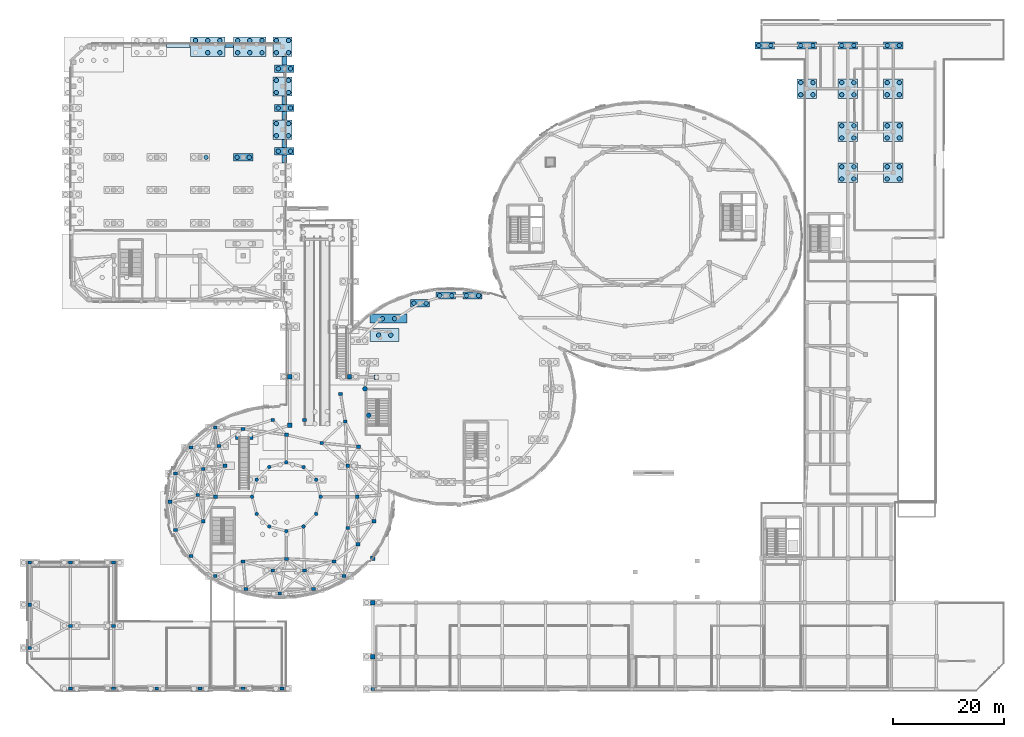
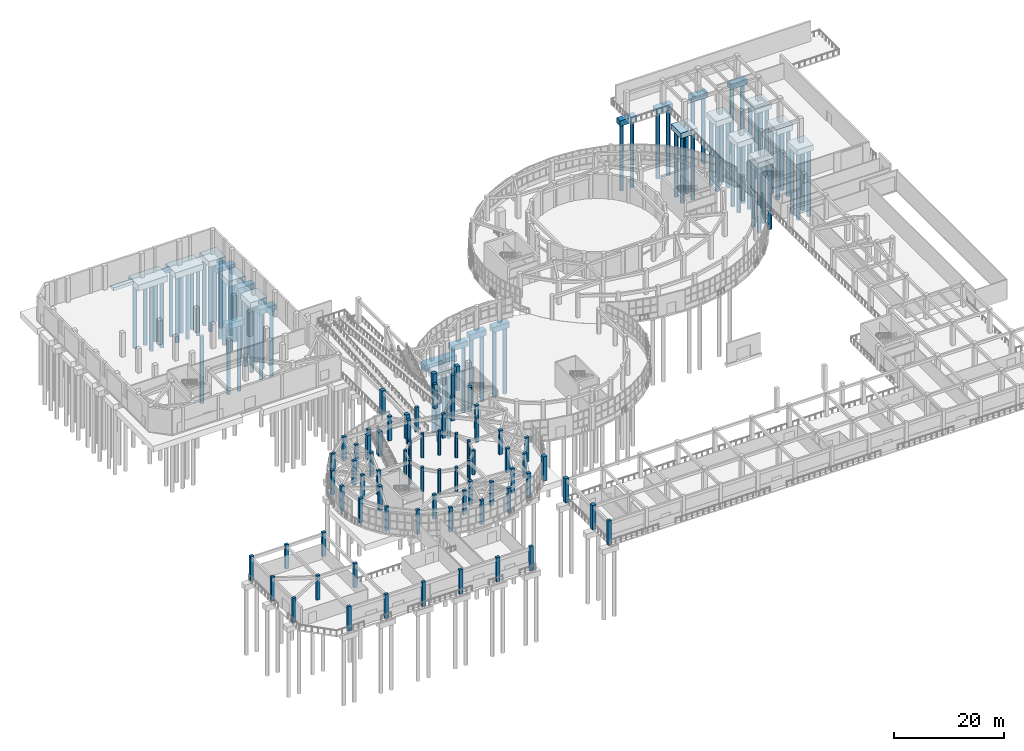
# One storey, part 3 of 96: 78 piles, 72 columns, 32 footings.
"""IFC4 building model written with IfcOpenShell, lengths in metres."""

from ifc_helpers import new_model, si_unit, direction, frame, origin, origin_2d, place, context, subcontext, project, spatial, rectangle, circle, extrude, material, layer, layer_set, material_profile, profile_set, type_object, element, save


model = new_model("IFC4")

# Units and contexts
model_context = context("Model", 3, precision=1e-05, world=origin(), true_north=direction((0.0, 1.0)))
body_context = subcontext(model_context, "Body", "Model", "MODEL_VIEW")
ifc_project = project(units=[si_unit("LENGTHUNIT", "METRE"), si_unit("AREAUNIT", "SQUARE_METRE"), si_unit("VOLUMEUNIT", "CUBIC_METRE"), si_unit("PLANEANGLEUNIT", "RADIAN"), si_unit("MASSUNIT", "GRAM", prefix="KILO")], contexts=[model_context])

# Site, building, storey
site_placement = place(None, origin())
site = spatial("IfcSite", under=ifc_project, at=site_placement, CompositionType="ELEMENT")
building_placement = place(site_placement, origin())
building = spatial("IfcBuilding", under=site, at=building_placement, Name="Pelvatis Terrace Science Centre", CompositionType="ELEMENT")
storey_placement = place(building_placement, origin())
storey = spatial("IfcBuildingStorey", under=building, at=storey_placement, Name="L00", CompositionType="ELEMENT", Elevation=0.0)

# Footings
ifc_material_1 = material(Name="Concrete C35/45", Category="concrete")
ifc_layer_1 = layer(ifc_material_1, 1.35009765625)
ifc_layer_set_1 = layer_set([ifc_layer_1], Name="Concrete C35/45")
footing_type_1 = type_object("IfcFootingType", Name="FTG-CMB-5200x2300x1350", PredefinedType="PILE_CAP", material=ifc_layer_set_1)
footing_1_placement = place(storey_placement, frame((64.54931640625, 64.29541015625, -1.630126953125), z_axis=(0.0, 0.0, 1.0), x_axis=(1.0, 0.0, 0.0)))
element("IfcFooting", 1, at=footing_1_placement, inside=storey, type_object=footing_type_1, Name="Foundation cap L00-300", PredefinedType="PILE_CAP", context=body_context, shape_type="SweptSolid", body=[
    extrude(rectangle(XDim=5.199951171875, YDim=2.300048828125, at=origin_2d()), origin(), (0.0, 0.0, 1.0), 1.35009765625),
])
ifc_material_2 = material(Name="Concrete C35/45", Category="concrete")
ifc_layer_2 = layer(ifc_material_2, 1.35009765625)
ifc_layer_set_2 = layer_set([ifc_layer_2], Name="Concrete C35/45")
footing_type_2 = type_object("IfcFootingType", Name="FTG-CMB-5900x3500x1350", PredefinedType="PILE_CAP", material=ifc_layer_set_2)
footing_2_placement = place(storey_placement, frame((40.199951171875, 116.39990234375, -1.630126953125), z_axis=(0.0, 0.0, 1.0), x_axis=(1.0, 0.0, 0.0)))
element("IfcFooting", 2, at=footing_2_placement, inside=storey, type_object=footing_type_2, Name="Foundation cap L00-249", PredefinedType="PILE_CAP", context=body_context, shape_type="SweptSolid", body=[
    extrude(rectangle(XDim=5.89990234375, YDim=3.5, at=origin_2d()), origin(), (0.0, 0.0, 1.0), 1.35009765625),
])
ifc_material_3 = material(Name="Concrete C35/45", Category="concrete")
ifc_layer_3 = layer(ifc_material_3, 1.35009765625)
ifc_layer_set_3 = layer_set([ifc_layer_3], Name="Concrete C35/45")
footing_type_3 = type_object("IfcFootingType", Name="FTG-CMB-6300x3500x1350", PredefinedType="PILE_CAP", material=ifc_layer_set_3)
footing_3_placement = place(storey_placement, frame((32.60009765625, 116.39990234375, -1.630126953125), z_axis=(0.0, 0.0, 1.0), x_axis=(1.0, 0.0, 0.0)))
element("IfcFooting", 3, at=footing_3_placement, inside=storey, type_object=footing_type_3, Name="Foundation cap L00-250", PredefinedType="PILE_CAP", context=body_context, shape_type="SweptSolid", body=[
    extrude(rectangle(XDim=6.300048828125, YDim=3.5, at=origin_2d()), origin(), (0.0, 0.0, 1.0), 1.35009765625),
])
ifc_material_4 = material(Name="Concrete C35/45", Category="concrete")
ifc_layer_4 = layer(ifc_material_4, 1.35009765625)
ifc_layer_set_4 = layer_set([ifc_layer_4], Name="Concrete C35/45")
footing_type_4 = type_object("IfcFootingType", Name="FTG-CMB-6750x1650x1350", PredefinedType="PILE_CAP", material=ifc_layer_set_4)
footing_4_placement = place(storey_placement, frame((65.254150390625, 67.26220703125, -1.630126953125), z_axis=(0.0, 0.0, 1.0), x_axis=(1.0, 0.0, 0.0)))
element("IfcFooting", 4, at=footing_4_placement, inside=storey, type_object=footing_type_4, Name="Foundation cap L00-285", PredefinedType="PILE_CAP", context=body_context, shape_type="SweptSolid", body=[
    extrude(rectangle(XDim=6.75, YDim=1.64990234375, at=origin_2d()), origin(), (0.0, 0.0, 1.0), 1.35009765625),
])
ifc_material_5 = material(Name="Concrete C35/45", Category="concrete")
ifc_layer_5 = layer(ifc_material_5, 1.199951171875)
ifc_layer_set_5 = layer_set([ifc_layer_5], Name="Concrete C35/45")
footing_type_5 = type_object("IfcFootingType", Name="FTG-PC2-3500x1300x1200", PredefinedType="PILE_CAP", material=ifc_layer_set_5)
for number, where, z_axis, x_axis, name in (
    (5, (39.0, 96.39990234375, -1.47998046875), (0.0, 0.0, 1.0), (1.0, 0.0, 0.0), "Foundation cap L00-247"),
    (6, (46.449951171875, 97.5, -1.47998046875), (0.0, 0.0, 1.0), (1.0, 0.0, 0.0), "Foundation cap L00-265"),
    (7, (46.449951171875, 105.300048828125, -1.47998046875), (0.0, 0.0, 1.0), (1.0, 0.0, 0.0), "Foundation cap L00-267"),
    (8, (46.449951171875, 112.39990234375, -1.47998046875), (0.0, 0.0, 1.0), (1.0, 0.0, 0.0), "Foundation cap L00-269"),
    (9, (70.93798828125, 70.063720703125, -1.47998046875), (0.0, 0.0, 1.0), (1.0, 0.0, 0.0), "Foundation cap L00-301"),
    (10, (80.41943359375, 71.427001953125, -1.47998046875), (0.0, 0.0, 1.0), (1.0, 0.0, 0.0), "Foundation cap L00-302"),
    (11, (75.58056640625, 71.427001953125, -1.47998046875), (0.0, 0.0, 1.0), (1.0, 0.0, 0.0), "Foundation cap L00-303"),
    (12, (133.199951171875, 116.60009765625, -1.47998046875), (0.0, 0.0, 1.0), (1.0, 0.0, 0.0), "Foundation cap L00-311"),
    (13, (140.800048828125, 116.60009765625, -1.47998046875), (0.0, 0.0, 1.0), (1.0, 0.0, 0.0), "Foundation cap L00-312"),
    (14, (148.199951171875, 116.60009765625, -1.47998046875), (0.0, 0.0, 1.0), (1.0, 0.0, 0.0), "Foundation cap L00-313"),
    (15, (156.39990234375, 116.60009765625, -1.47998046875), (0.0, 0.0, 1.0), (1.0, 0.0, 0.0), "Foundation cap L00-314"),
):
    element("IfcFooting", number, at=place(storey_placement, frame(where, z_axis=z_axis, x_axis=x_axis)), inside=storey, type_object=footing_type_5, Name=name, PredefinedType="PILE_CAP", context=body_context, shape_type="SweptSolid", body=[
        extrude(rectangle(XDim=3.5, YDim=1.300048828125, at=origin_2d()), origin(), (0.0, 0.0, 1.0), 1.199951171875),
    ])
ifc_material_6 = material(Name="Concrete C35/45", Category="concrete")
ifc_layer_6 = layer(ifc_material_6, 1.199951171875)
ifc_layer_set_6 = layer_set([ifc_layer_6], Name="Concrete C35/45")
footing_type_6 = type_object("IfcFootingType", Name="FTG-PC4-3500x3500x1200", PredefinedType="PILE_CAP", material=ifc_layer_set_6)
for number, where, z_axis, x_axis, name in (
    (16, (46.10009765625, 101.39990234375, -1.47998046875), (0.0, 0.0, 1.0), (1.0, 0.0, 0.0), "Foundation cap L00-266"),
    (17, (46.10009765625, 109.199951171875, -1.47998046875), (0.0, 0.0, 1.0), (1.0, 0.0, 0.0), "Foundation cap L00-268"),
    (18, (46.10009765625, 116.39990234375, -1.47998046875), (0.0, 0.0, 1.0), (1.0, 0.0, 0.0), "Foundation cap L00-270"),
    (19, (148.199951171875, 93.60009765625, -1.47998046875), (0.0, 0.0, 1.0), (1.0, 0.0, 0.0), "Foundation cap L00-304"),
    (20, (156.39990234375, 93.60009765625, -1.47998046875), (0.0, 0.0, 1.0), (1.0, 0.0, 0.0), "Foundation cap L00-305"),
    (21, (148.199951171875, 101.0, -1.47998046875), (0.0, 0.0, 1.0), (1.0, 0.0, 0.0), "Foundation cap L00-306"),
    (22, (156.39990234375, 101.0, -1.47998046875), (0.0, 0.0, 1.0), (1.0, 0.0, 0.0), "Foundation cap L00-307"),
    (23, (140.800048828125, 108.800048828125, -1.47998046875), (0.0, 0.0, 1.0), (1.0, 0.0, 0.0), "Foundation cap L00-308"),
    (24, (148.199951171875, 108.800048828125, -1.47998046875), (0.0, 0.0, 1.0), (1.0, 0.0, 0.0), "Foundation cap L00-309"),
    (25, (156.39990234375, 108.800048828125, -1.47998046875), (0.0, 0.0, 1.0), (1.0, 0.0, 0.0), "Foundation cap L00-310"),
):
    element("IfcFooting", number, at=place(storey_placement, frame(where, z_axis=z_axis, x_axis=x_axis)), inside=storey, type_object=footing_type_6, Name=name, PredefinedType="PILE_CAP", context=body_context, shape_type="SweptSolid", body=[
        extrude(rectangle(XDim=3.5, YDim=3.5, at=origin_2d()), origin(), (0.0, 0.0, 1.0), 1.199951171875),
    ])
ifc_material_7 = material(Name="Concrete C35/45", Category="concrete")
ifc_material_profile_1 = material_profile(ifc_material_7, rectangle(XDim=0.85009765625, YDim=0.64990234375, at=origin_2d()), Name="RC-STR 850x650")
ifc_profile_set_1 = profile_set([ifc_material_profile_1], Name="Concrete C35/45")
footing_type_7 = type_object("IfcFootingType", Name="FTG-STR-850x650", PredefinedType="STRIP_FOOTING", material=ifc_profile_set_1)
for number, where, z_axis, x_axis, name in (
    (26, (46.449951171875, 95.360107421875, -0.679931640625), (0.0, 1.0, 0.0), (-1.0, 0.0, 0.0), "Foundation strip footing 15"),
    (27, (46.449951171875, 98.159912109375, -0.679931640625), (0.0, 1.0, 0.0), (-1.0, 0.0, 0.0), "Foundation strip footing 16"),
    (28, (46.449951171875, 103.159912109375, -0.679931640625), (0.0, 1.0, 0.0), (-1.0, 0.0, 0.0), "Foundation strip footing 17"),
    (29, (46.449951171875, 105.9599609375, -0.679931640625), (0.0, 1.0, 0.0), (-1.0, 0.0, 0.0), "Foundation strip footing 18"),
):
    element("IfcFooting", number, at=place(storey_placement, frame(where, z_axis=z_axis, x_axis=x_axis)), inside=storey, type_object=footing_type_7, Name=name, PredefinedType="STRIP_FOOTING", context=body_context, shape_type="SweptSolid", body=[
        extrude(rectangle(XDim=0.85009765625, YDim=0.64990234375, at=origin_2d()), origin(), (0.0, 0.0, 1.0), 1.47998046875),
    ])
footing_5_placement = place(storey_placement, frame((46.449951171875, 113.06005859375, -0.679931640625), z_axis=(0.0, 1.0, 0.0), x_axis=(-1.0, 0.0, 0.0)))
element("IfcFooting", 30, at=footing_5_placement, inside=storey, type_object=footing_type_7, Name="Foundation strip footing 19", PredefinedType="STRIP_FOOTING", context=body_context, shape_type="SweptSolid", body=[
    extrude(rectangle(XDim=0.85009765625, YDim=0.64990234375, at=origin_2d()), origin(), (0.0, 0.0, 1.0), 1.579833984375),
])
ifc_material_8 = material(Name="Concrete C35/45", Category="concrete")
ifc_material_profile_2 = material_profile(ifc_material_8, rectangle(XDim=0.949951171875, YDim=0.699951171875, at=origin_2d()), Name="RC-STR 950x700")
ifc_profile_set_2 = profile_set([ifc_material_profile_2], Name="Concrete C35/45")
footing_type_8 = type_object("IfcFootingType", Name="FTG-STR-950x700", PredefinedType="STRIP_FOOTING", material=ifc_profile_set_2)
footing_6_placement = place(storey_placement, frame((25.159912109375, 116.75, -0.679931640625), z_axis=(1.0, 0.0, 0.0), x_axis=(0.0, 1.0, 0.0)))
element("IfcFooting", 31, at=footing_6_placement, inside=storey, type_object=footing_type_8, Name="Foundation strip footing 03", PredefinedType="STRIP_FOOTING", context=body_context, shape_type="SweptSolid", body=[
    extrude(rectangle(XDim=0.949951171875, YDim=0.699951171875, at=origin_2d()), origin(), (0.0, 0.0, 1.0), 4.280029296875),
])
footing_7_placement = place(storey_placement, frame((35.760009765625, 116.75, -0.679931640625), z_axis=(1.0, 0.0, 0.0), x_axis=(0.0, 1.0, 0.0)))
element("IfcFooting", 32, at=footing_7_placement, inside=storey, type_object=footing_type_8, Name="Foundation strip footing 04", PredefinedType="STRIP_FOOTING", context=body_context, shape_type="SweptSolid", body=[
    extrude(rectangle(XDim=0.949951171875, YDim=0.699951171875, at=origin_2d()), origin(), (0.0, 0.0, 1.0), 1.47998046875),
])

# Piles
ifc_material_9 = material(Name="Concrete C30/37", Category="concrete")
ifc_material_profile_3 = material_profile(ifc_material_9, circle(Radius=0.39990234375, at=origin_2d()), Name="PILE D800")
ifc_profile_set_3 = profile_set([ifc_material_profile_3], Name="Concrete C30/37")
pile_type = type_object("IfcPileType", Name="PIL-BORED-D800", PredefinedType="BORED", material=ifc_profile_set_3)
for number, where, z_axis, x_axis, name in (
    (33, (37.89990234375, 96.39990234375, -1.3798828125), (0.0, 0.0, -1.0), (1.0, 0.0, 0.0), "Bored pile L00-247-1"),
    (34, (40.10009765625, 96.39990234375, -1.3798828125), (0.0, 0.0, -1.0), (1.0, 0.0, 0.0), "Bored pile L00-247-2"),
    (35, (32.300048828125, 96.39990234375, -1.3798828125), (0.0, 0.0, -1.0), (1.0, 0.0, 0.0), "Bored pile L00-248-2"),
):
    element("IfcPile", number, at=place(storey_placement, frame(where, z_axis=z_axis, x_axis=x_axis)), inside=storey, type_object=pile_type, Name=name, PredefinedType="BORED", context=body_context, shape_type="SweptSolid", body=[
        extrude(circle(Radius=0.39990234375, at=origin_2d()), origin(), (0.0, 0.0, 1.0), 14.820068359375),
    ])
for number, where, z_axis, x_axis, name in (
    (36, (38.0, 115.300048828125, -1.530029296875), (0.0, 0.0, -1.0), (1.0, 0.0, 0.0), "Bored pile L00-249-1"),
    (37, (40.199951171875, 115.300048828125, -1.530029296875), (0.0, 0.0, -1.0), (1.0, 0.0, 0.0), "Bored pile L00-249-2"),
    (38, (42.39990234375, 115.300048828125, -1.530029296875), (0.0, 0.0, -1.0), (1.0, 0.0, 0.0), "Bored pile L00-249-3"),
    (39, (38.0, 117.5, -1.530029296875), (0.0, 0.0, -1.0), (1.0, 0.0, 0.0), "Bored pile L00-249-4"),
    (40, (40.199951171875, 117.5, -1.530029296875), (0.0, 0.0, -1.0), (1.0, 0.0, 0.0), "Bored pile L00-249-5"),
    (41, (42.39990234375, 117.5, -1.530029296875), (0.0, 0.0, -1.0), (1.0, 0.0, 0.0), "Bored pile L00-249-6"),
    (42, (32.60009765625, 115.300048828125, -1.530029296875), (0.0, 0.0, -1.0), (1.0, 0.0, 0.0), "Bored pile L00-250-2"),
    (43, (34.800048828125, 115.300048828125, -1.530029296875), (0.0, 0.0, -1.0), (1.0, 0.0, 0.0), "Bored pile L00-250-3"),
    (44, (30.39990234375, 117.5, -1.530029296875), (0.0, 0.0, -1.0), (1.0, 0.0, 0.0), "Bored pile L00-250-4"),
    (45, (32.60009765625, 117.5, -1.530029296875), (0.0, 0.0, -1.0), (1.0, 0.0, 0.0), "Bored pile L00-250-5"),
    (46, (34.800048828125, 117.5, -1.530029296875), (0.0, 0.0, -1.0), (1.0, 0.0, 0.0), "Bored pile L00-250-6"),
):
    element("IfcPile", number, at=place(storey_placement, frame(where, z_axis=z_axis, x_axis=x_axis)), inside=storey, type_object=pile_type, Name=name, PredefinedType="BORED", context=body_context, shape_type="SweptSolid", body=[
        extrude(circle(Radius=0.39990234375, at=origin_2d()), origin(), (0.0, 0.0, 1.0), 14.669921875),
    ])
for number, where, z_axis, x_axis, name in (
    (47, (45.35009765625, 97.5, -1.3798828125), (0.0, 0.0, -1.0), (1.0, 0.0, 0.0), "Bored pile L00-265-1"),
    (48, (47.550048828125, 97.5, -1.3798828125), (0.0, 0.0, -1.0), (1.0, 0.0, 0.0), "Bored pile L00-265-2"),
    (49, (45.0, 100.300048828125, -1.3798828125), (0.0, 0.0, -1.0), (1.0, 0.0, 0.0), "Bored pile L00-266-1"),
    (50, (45.0, 102.5, -1.3798828125), (0.0, 0.0, -1.0), (1.0, 0.0, 0.0), "Bored pile L00-266-2"),
    (51, (47.199951171875, 100.300048828125, -1.3798828125), (0.0, 0.0, -1.0), (1.0, 0.0, 0.0), "Bored pile L00-266-3"),
    (52, (47.199951171875, 102.5, -1.3798828125), (0.0, 0.0, -1.0), (1.0, 0.0, 0.0), "Bored pile L00-266-4"),
    (53, (45.35009765625, 105.300048828125, -1.3798828125), (0.0, 0.0, -1.0), (1.0, 0.0, 0.0), "Bored pile L00-267-1"),
    (54, (47.550048828125, 105.300048828125, -1.3798828125), (0.0, 0.0, -1.0), (1.0, 0.0, 0.0), "Bored pile L00-267-2"),
    (55, (45.0, 108.10009765625, -1.3798828125), (0.0, 0.0, -1.0), (1.0, 0.0, 0.0), "Bored pile L00-268-1"),
    (56, (45.0, 110.300048828125, -1.3798828125), (0.0, 0.0, -1.0), (1.0, 0.0, 0.0), "Bored pile L00-268-2"),
    (57, (47.199951171875, 108.10009765625, -1.3798828125), (0.0, 0.0, -1.0), (1.0, 0.0, 0.0), "Bored pile L00-268-3"),
    (58, (47.199951171875, 110.300048828125, -1.3798828125), (0.0, 0.0, -1.0), (1.0, 0.0, 0.0), "Bored pile L00-268-4"),
    (59, (45.35009765625, 112.39990234375, -1.3798828125), (0.0, 0.0, -1.0), (1.0, 0.0, 0.0), "Bored pile L00-269-1"),
    (60, (47.550048828125, 112.39990234375, -1.3798828125), (0.0, 0.0, -1.0), (1.0, 0.0, 0.0), "Bored pile L00-269-2"),
    (61, (45.0, 115.300048828125, -1.3798828125), (0.0, 0.0, -1.0), (1.0, 0.0, 0.0), "Bored pile L00-270-1"),
    (62, (45.0, 117.5, -1.3798828125), (0.0, 0.0, -1.0), (1.0, 0.0, 0.0), "Bored pile L00-270-2"),
    (63, (47.199951171875, 115.300048828125, -1.3798828125), (0.0, 0.0, -1.0), (1.0, 0.0, 0.0), "Bored pile L00-270-3"),
    (64, (47.199951171875, 117.5, -1.3798828125), (0.0, 0.0, -1.0), (1.0, 0.0, 0.0), "Bored pile L00-270-4"),
):
    element("IfcPile", number, at=place(storey_placement, frame(where, z_axis=z_axis, x_axis=x_axis)), inside=storey, type_object=pile_type, Name=name, PredefinedType="BORED", context=body_context, shape_type="SweptSolid", body=[
        extrude(circle(Radius=0.39990234375, at=origin_2d()), origin(), (0.0, 0.0, 1.0), 14.820068359375),
    ])
for number, where, z_axis, x_axis, name in (
    (65, (64.154052734375, 67.26220703125, -1.530029296875), (0.0, 0.0, -1.0), (1.0, 0.0, 0.0), "Bored pile L00-285-1"),
    (66, (66.35400390625, 67.26220703125, -1.530029296875), (0.0, 0.0, -1.0), (1.0, 0.0, 0.0), "Bored pile L00-285-2"),
    (67, (63.449462890625, 64.29541015625, -1.530029296875), (0.0, 0.0, -1.0), (1.0, 0.0, 0.0), "Bored pile L00-300-1"),
    (68, (65.6494140625, 64.29541015625, -1.530029296875), (0.0, 0.0, -1.0), (1.0, 0.0, 0.0), "Bored pile L00-300-2"),
):
    element("IfcPile", number, at=place(storey_placement, frame(where, z_axis=z_axis, x_axis=x_axis)), inside=storey, type_object=pile_type, Name=name, PredefinedType="BORED", context=body_context, shape_type="SweptSolid", body=[
        extrude(circle(Radius=0.39990234375, at=origin_2d()), origin(), (0.0, 0.0, 1.0), 14.669921875),
    ])
for number, where, z_axis, x_axis, name in (
    (69, (69.837890625, 70.063720703125, -1.3798828125), (0.0, 0.0, -1.0), (1.0, 0.0, 0.0), "Bored pile L00-301-1"),
    (70, (72.037841796875, 70.063720703125, -1.3798828125), (0.0, 0.0, -1.0), (1.0, 0.0, 0.0), "Bored pile L00-301-2"),
    (71, (79.3193359375, 71.427001953125, -1.3798828125), (0.0, 0.0, -1.0), (1.0, 0.0, 0.0), "Bored pile L00-302-1"),
    (72, (81.519287109375, 71.427001953125, -1.3798828125), (0.0, 0.0, -1.0), (1.0, 0.0, 0.0), "Bored pile L00-302-2"),
    (73, (74.480712890625, 71.427001953125, -1.3798828125), (0.0, 0.0, -1.0), (1.0, 0.0, 0.0), "Bored pile L00-303-1"),
    (74, (76.6806640625, 71.427001953125, -1.3798828125), (0.0, 0.0, -1.0), (1.0, 0.0, 0.0), "Bored pile L00-303-2"),
    (75, (147.10009765625, 92.5, -1.3798828125), (0.0, 0.0, -1.0), (1.0, 0.0, 0.0), "Bored pile L00-304-1"),
    (76, (147.10009765625, 94.699951171875, -1.3798828125), (0.0, 0.0, -1.0), (1.0, 0.0, 0.0), "Bored pile L00-304-2"),
    (77, (149.300048828125, 92.5, -1.3798828125), (0.0, 0.0, -1.0), (1.0, 0.0, 0.0), "Bored pile L00-304-3"),
    (78, (149.300048828125, 94.699951171875, -1.3798828125), (0.0, 0.0, -1.0), (1.0, 0.0, 0.0), "Bored pile L00-304-4"),
    (79, (155.300048828125, 92.5, -1.3798828125), (0.0, 0.0, -1.0), (1.0, 0.0, 0.0), "Bored pile L00-305-1"),
    (80, (155.300048828125, 94.699951171875, -1.3798828125), (0.0, 0.0, -1.0), (1.0, 0.0, 0.0), "Bored pile L00-305-2"),
    (81, (157.5, 92.5, -1.3798828125), (0.0, 0.0, -1.0), (1.0, 0.0, 0.0), "Bored pile L00-305-3"),
    (82, (157.5, 94.699951171875, -1.3798828125), (0.0, 0.0, -1.0), (1.0, 0.0, 0.0), "Bored pile L00-305-4"),
    (83, (147.10009765625, 99.89990234375, -1.3798828125), (0.0, 0.0, -1.0), (1.0, 0.0, 0.0), "Bored pile L00-306-1"),
    (84, (147.10009765625, 102.10009765625, -1.3798828125), (0.0, 0.0, -1.0), (1.0, 0.0, 0.0), "Bored pile L00-306-2"),
    (85, (149.300048828125, 99.89990234375, -1.3798828125), (0.0, 0.0, -1.0), (1.0, 0.0, 0.0), "Bored pile L00-306-3"),
    (86, (149.300048828125, 102.10009765625, -1.3798828125), (0.0, 0.0, -1.0), (1.0, 0.0, 0.0), "Bored pile L00-306-4"),
    (87, (155.300048828125, 99.89990234375, -1.3798828125), (0.0, 0.0, -1.0), (1.0, 0.0, 0.0), "Bored pile L00-307-1"),
    (88, (155.300048828125, 102.10009765625, -1.3798828125), (0.0, 0.0, -1.0), (1.0, 0.0, 0.0), "Bored pile L00-307-2"),
    (89, (157.5, 99.89990234375, -1.3798828125), (0.0, 0.0, -1.0), (1.0, 0.0, 0.0), "Bored pile L00-307-3"),
    (90, (157.5, 102.10009765625, -1.3798828125), (0.0, 0.0, -1.0), (1.0, 0.0, 0.0), "Bored pile L00-307-4"),
    (91, (139.699951171875, 107.699951171875, -1.3798828125), (0.0, 0.0, -1.0), (1.0, 0.0, 0.0), "Bored pile L00-308-1"),
    (92, (139.699951171875, 109.89990234375, -1.3798828125), (0.0, 0.0, -1.0), (1.0, 0.0, 0.0), "Bored pile L00-308-2"),
    (93, (141.89990234375, 107.699951171875, -1.3798828125), (0.0, 0.0, -1.0), (1.0, 0.0, 0.0), "Bored pile L00-308-3"),
    (94, (141.89990234375, 109.89990234375, -1.3798828125), (0.0, 0.0, -1.0), (1.0, 0.0, 0.0), "Bored pile L00-308-4"),
    (95, (147.10009765625, 107.699951171875, -1.3798828125), (0.0, 0.0, -1.0), (1.0, 0.0, 0.0), "Bored pile L00-309-1"),
    (96, (147.10009765625, 109.89990234375, -1.3798828125), (0.0, 0.0, -1.0), (1.0, 0.0, 0.0), "Bored pile L00-309-2"),
    (97, (149.300048828125, 107.699951171875, -1.3798828125), (0.0, 0.0, -1.0), (1.0, 0.0, 0.0), "Bored pile L00-309-3"),
    (98, (149.300048828125, 109.89990234375, -1.3798828125), (0.0, 0.0, -1.0), (1.0, 0.0, 0.0), "Bored pile L00-309-4"),
    (99, (155.300048828125, 107.699951171875, -1.3798828125), (0.0, 0.0, -1.0), (1.0, 0.0, 0.0), "Bored pile L00-310-1"),
    (100, (155.300048828125, 109.89990234375, -1.3798828125), (0.0, 0.0, -1.0), (1.0, 0.0, 0.0), "Bored pile L00-310-2"),
    (101, (157.5, 107.699951171875, -1.3798828125), (0.0, 0.0, -1.0), (1.0, 0.0, 0.0), "Bored pile L00-310-3"),
    (102, (157.5, 109.89990234375, -1.3798828125), (0.0, 0.0, -1.0), (1.0, 0.0, 0.0), "Bored pile L00-310-4"),
    (103, (132.10009765625, 116.60009765625, -1.3798828125), (0.0, 0.0, -1.0), (1.0, 0.0, 0.0), "Bored pile L00-311-1"),
    (104, (134.300048828125, 116.60009765625, -1.3798828125), (0.0, 0.0, -1.0), (1.0, 0.0, 0.0), "Bored pile L00-311-2"),
    (105, (139.699951171875, 116.60009765625, -1.3798828125), (0.0, 0.0, -1.0), (1.0, 0.0, 0.0), "Bored pile L00-312-1"),
    (106, (141.89990234375, 116.60009765625, -1.3798828125), (0.0, 0.0, -1.0), (1.0, 0.0, 0.0), "Bored pile L00-312-2"),
    (107, (147.10009765625, 116.60009765625, -1.3798828125), (0.0, 0.0, -1.0), (1.0, 0.0, 0.0), "Bored pile L00-313-1"),
    (108, (149.300048828125, 116.60009765625, -1.3798828125), (0.0, 0.0, -1.0), (1.0, 0.0, 0.0), "Bored pile L00-313-2"),
    (109, (155.300048828125, 116.60009765625, -1.3798828125), (0.0, 0.0, -1.0), (1.0, 0.0, 0.0), "Bored pile L00-314-1"),
    (110, (157.5, 116.60009765625, -1.3798828125), (0.0, 0.0, -1.0), (1.0, 0.0, 0.0), "Bored pile L00-314-2"),
):
    element("IfcPile", number, at=place(storey_placement, frame(where, z_axis=z_axis, x_axis=x_axis)), inside=storey, type_object=pile_type, Name=name, PredefinedType="BORED", context=body_context, shape_type="SweptSolid", body=[
        extrude(circle(Radius=0.39990234375, at=origin_2d()), origin(), (0.0, 0.0, 1.0), 14.820068359375),
    ])

# Columns
ifc_material_10 = material(Name="Concrete C40/50", Category="concrete")
ifc_material_profile_4 = material_profile(ifc_material_10, rectangle(XDim=0.699951171875, YDim=0.550048828125, at=origin_2d()), Name="RC-COL 700x550")
ifc_profile_set_4 = profile_set([ifc_material_profile_4], Name="Concrete C40/50")
column_type_1 = type_object("IfcColumnType", Name="COL-RC-700x550", PredefinedType="COLUMN", material=ifc_profile_set_4)
for number, where, z_axis, x_axis, name in (
    (111, (56.60009765625, 53.699951171875, 0.0), (0.0, 0.0, 1.0), (1.0, 0.0, 0.0), "Column V2E-B-12 (L00)"),
    (112, (57.42626953125, 48.71337890625, 0.0), (0.0, 0.0, 1.0), (1.0, 0.0, 0.0), "Column V2E-B-13 (L00)"),
    (113, (59.83837890625, 44.130615234375, 0.0), (0.0, 0.0, 1.0), (1.0, 0.0, 0.0), "Column V2E-B-14 (L00)"),
    (114, (50.0478515625, 48.990234375, 0.0), (0.0, 0.0, 1.0), (1.0, 0.0, 0.0), "Column V3E-A-05 (L00)"),
    (115, (44.352294921875, 48.990234375, 0.0), (0.0, 0.0, 1.0), (1.0, 0.0, 0.0), "Column V3E-A-06 (L00)"),
    (116, (39.0, 47.351318359375, 0.0), (0.0, 0.0, 1.0), (1.0, 0.0, 0.0), "Column V3E-A-07 (L00)"),
    (117, (34.636962890625, 44.2705078125, 0.0), (0.0, 0.0, 1.0), (1.0, 0.0, 0.0), "Column V3E-A-08 (L00)"),
    (118, (31.7890625, 40.119873046875, 0.0), (0.0, 0.0, 1.0), (1.0, 0.0, 0.0), "Column V3E-A-09 (L00)"),
    (119, (30.800048828125, 35.39990234375, 0.0), (0.0, 0.0, 1.0), (1.0, 0.0, 0.0), "Column V3E-A-10 (L00)"),
    (120, (31.7890625, 30.68017578125, 0.0), (0.0, 0.0, 1.0), (1.0, 0.0, 0.0), "Column V3E-A-11 (L00)"),
    (121, (39.0, 23.44873046875, 0.0), (0.0, 0.0, 1.0), (1.0, 0.0, 0.0), "Column V3E-A-13 (L00)"),
    (122, (44.352294921875, 21.809814453125, 0.0), (0.0, 0.0, 1.0), (1.0, 0.0, 0.0), "Column V3E-A-14 (L00)"),
    (123, (50.0478515625, 21.809814453125, 0.0), (0.0, 0.0, 1.0), (1.0, 0.0, 0.0), "Column V3E-A-15 (L00)"),
    (124, (55.39990234375, 23.44873046875, 0.0), (0.0, 0.0, 1.0), (1.0, 0.0, 0.0), "Column V3E-A-16 (L00)"),
    (125, (59.76318359375, 26.529541015625, 0.0), (0.0, 0.0, 1.0), (1.0, 0.0, 0.0), "Column V3E-A-17 (L00)"),
    (126, (62.611083984375, 30.68017578125, 0.0), (0.0, 0.0, 1.0), (1.0, 0.0, 0.0), "Column V3E-A-18 (L00)"),
    (127, (33.9619140625, 47.629638671875, 0.0), (0.0, 0.0, 1.0), (1.0, 0.0, 0.0), "Column V3E-B-08 (L00)"),
    (128, (29.58154296875, 43.957275390625, 0.0), (0.0, 0.0, 1.0), (1.0, 0.0, 0.0), "Column V3E-B-09 (L00)"),
    (129, (26.76904296875, 39.32958984375, 0.0), (0.0, 0.0, 1.0), (1.0, 0.0, 0.0), "Column V3E-B-10 (L00)"),
    (130, (25.800048828125, 34.199951171875, 0.0), (0.0, 0.0, 1.0), (1.0, 0.0, 0.0), "Column V3E-B-11 (L00)"),
    (131, (26.76904296875, 29.0703125, 0.0), (0.0, 0.0, 1.0), (1.0, 0.0, 0.0), "Column V3E-B-12 (L00)"),
    (132, (29.58154296875, 24.44287109375, 0.0), (0.0, 0.0, 1.0), (1.0, 0.0, 0.0), "Column V3E-B-13 (L00)"),
    (133, (33.9619140625, 20.770263671875, 0.0), (0.0, 0.0, 1.0), (1.0, 0.0, 0.0), "Column V3E-B-14 (L00)"),
    (134, (39.4814453125, 18.41259765625, 0.0), (0.0, 0.0, 1.0), (1.0, 0.0, 0.0), "Column V3E-B-15 (L00)"),
    (135, (45.60009765625, 17.60009765625, 0.0), (0.0, 0.0, 1.0), (1.0, 0.0, 0.0), "Column V3E-B-16 (L00)"),
    (136, (51.718505859375, 18.41259765625, 0.0), (0.0, 0.0, 1.0), (1.0, 0.0, 0.0), "Column V3E-B-17 (L00)"),
    (137, (57.238037109375, 20.770263671875, 0.0), (0.0, 0.0, 1.0), (1.0, 0.0, 0.0), "Column V3E-B-18 (L00)"),
    (138, (59.60009765625, 35.10009765625, 0.0), (0.0, 0.0, 1.0), (1.0, 0.0, 0.0), "Column V3E-M-01 (L00)"),
    (139, (57.885009765625, 40.699951171875, 0.0), (0.0, 0.0, 1.0), (1.0, 0.0, 0.0), "Column V3E-M-02 (L00)"),
    (140, (53.199951171875, 44.799560546875, 0.0), (0.0, 0.0, 1.0), (1.0, 0.0, 0.0), "Column V3E-M-03 (L00)"),
    (141, (46.800048828125, 46.300048828125, 0.0), (0.0, 0.0, 1.0), (1.0, 0.0, 0.0), "Column V3E-M-04 (L00)"),
    (142, (35.71484375, 40.699951171875, 0.0), (0.0, 0.0, 1.0), (1.0, 0.0, 0.0), "Column V3E-M-06 (L00)"),
    (143, (34.0, 35.10009765625, 0.0), (0.0, 0.0, 1.0), (1.0, 0.0, 0.0), "Column V3E-M-07 (L00)"),
    (144, (46.800048828125, 23.89990234375, 0.0), (0.0, 0.0, 1.0), (1.0, 0.0, 0.0), "Column V3E-M-10 (L00)"),
    (145, (57.885009765625, 29.5, 0.0), (0.0, 0.0, 1.0), (1.0, 0.0, 0.0), "Column V3E-M-12 (L00)"),
    (146, (62.39990234375, 0.39990234375, 0.0), (0.0, 0.0, 1.0), (1.0, 0.0, 0.0), "Column V5G-S-1-1 (L00)"),
    (147, (0.449951171875, 7.800048828125, 0.0), (0.0, 0.0, 1.0), (1.0, 0.0, 0.0), "Column SWP-01 (L00)"),
    (148, (0.449951171875, 15.60009765625, 0.0), (0.0, 0.0, 1.0), (1.0, 0.0, 0.0), "Column SWP-02 (L00)"),
    (149, (0.449951171875, 23.199951171875, 0.0), (0.0, 0.0, 1.0), (1.0, 0.0, 0.0), "Column SWP-03 (L00)"),
    (150, (7.800048828125, 0.449951171875, 0.0), (0.0, 0.0, 1.0), (1.0, 0.0, 0.0), "Column SWP-04 (L00)"),
    (151, (15.60009765625, 0.449951171875, 0.0), (0.0, 0.0, 1.0), (1.0, 0.0, 0.0), "Column SWP-05 (L00)"),
    (152, (23.39990234375, 0.449951171875, 0.0), (0.0, 0.0, 1.0), (1.0, 0.0, 0.0), "Column SWP-06 (L00)"),
    (153, (31.199951171875, 0.449951171875, 0.0), (0.0, 0.0, 1.0), (1.0, 0.0, 0.0), "Column SWP-07 (L00)"),
    (154, (39.0, 0.449951171875, 0.0), (0.0, 0.0, 1.0), (1.0, 0.0, 0.0), "Column SWP-08 (L00)"),
    (155, (46.0, 0.449951171875, 0.0), (0.0, 0.0, 1.0), (1.0, 0.0, 0.0), "Column SWP-09 (L00)"),
    (156, (7.800048828125, 11.800048828125, 0.0), (0.0, 0.0, 1.0), (1.0, 0.0, 0.0), "Column SWP-10 (L00)"),
    (157, (15.60009765625, 11.800048828125, 0.0), (0.0, 0.0, 1.0), (1.0, 0.0, 0.0), "Column SWP-11 (L00)"),
    (158, (7.800048828125, 23.199951171875, 0.0), (0.0, 0.0, 1.0), (1.0, 0.0, 0.0), "Column SWP-13 (L00)"),
    (159, (15.60009765625, 23.199951171875, 0.0), (0.0, 0.0, 1.0), (1.0, 0.0, 0.0), "Column SWP-14 (L00)"),
):
    element("IfcColumn", number, at=place(storey_placement, frame(where, z_axis=z_axis, x_axis=x_axis)), inside=storey, type_object=column_type_1, Name=name, PredefinedType="COLUMN", context=body_context, shape_type="SweptSolid", body=[
        extrude(rectangle(XDim=0.699951171875, YDim=0.550048828125, at=origin_2d()), origin(), (0.0, 0.0, 1.0), 5.39990234375),
    ])
ifc_material_11 = material(Name="Concrete C40/50", Category="concrete")
ifc_material_profile_5 = material_profile(ifc_material_11, rectangle(XDim=0.800048828125, YDim=0.800048828125, at=origin_2d()), Name="RC-COL 800x800")
ifc_profile_set_5 = profile_set([ifc_material_profile_5], Name="Concrete C40/50")
column_type_2 = type_object("IfcColumnType", Name="COL-RC-800x800", PredefinedType="COLUMN", material=ifc_profile_set_5)
for number, where, z_axis, x_axis, name in (
    (160, (62.39990234375, 6.199951171875, 0.0), (0.0, 0.0, 1.0), (1.0, 0.0, 0.0), "Column V5G-S-1-2 (L00)"),
    (161, (62.39990234375, 16.0, 0.0), (0.0, 0.0, 1.0), (1.0, 0.0, 0.0), "Column V5G-S-1-3 (L00)"),
    (162, (62.39990234375, 24.0, 0.0), (0.0, 0.0, 1.0), (1.0, 0.0, 0.0), "Column V5G-S-1-4 (L00)"),
    (163, (47.39990234375, 48.0, 0.0), (0.0, 0.0, 1.0), (1.0, 0.0, 0.0), "Column SUPR2-01 (L00)"),
    (164, (47.39990234375, 56.800048828125, 0.0), (0.0, 0.0, 1.0), (1.0, 0.0, 0.0), "Column SUPR2-03 (L00)"),
    (165, (58.199951171875, 56.800048828125, 0.0), (0.0, 0.0, 1.0), (1.0, 0.0, 0.0), "Column SUPR2-04 (L00)"),
    (166, (38.0, 45.800048828125, 0.0), (0.0, 0.0, 1.0), (1.0, 0.0, 0.0), "Column SUPR2-24 (L00)"),
    (167, (40.39990234375, 45.800048828125, 0.0), (0.0, 0.0, 1.0), (1.0, 0.0, 0.0), "Column SUPR2-25 (L00)"),
    (168, (63.0, 56.699951171875, 0.0), (0.0, 0.0, 1.0), (1.0, 0.0, 0.0), "Column SUPR2-27 (L00)"),
):
    element("IfcColumn", number, at=place(storey_placement, frame(where, z_axis=z_axis, x_axis=x_axis)), inside=storey, type_object=column_type_2, Name=name, PredefinedType="COLUMN", context=body_context, shape_type="SweptSolid", body=[
        extrude(rectangle(XDim=0.800048828125, YDim=0.800048828125, at=origin_2d()), origin(), (0.0, 0.0, 1.0), 5.39990234375),
    ])
ifc_material_12 = material(Name="Concrete C40/50", Category="concrete")
ifc_material_profile_6 = material_profile(ifc_material_12, circle(Radius=0.324951171875, at=origin_2d()), Name="RC-RCOL D650")
ifc_profile_set_6 = profile_set([ifc_material_profile_6], Name="Concrete C40/50")
column_type_3 = type_object("IfcColumnType", Name="COL-RND-D650", PredefinedType="COLUMN", material=ifc_profile_set_6)
for number, where, z_axis, x_axis, name in (
    (169, (53.0, 35.10009765625, 0.0), (0.0, 0.0, 1.0), (1.0, 0.0, 0.0), "Column V3N-01 (L00)"),
    (170, (52.16943359375, 38.199951171875, 0.0), (0.0, 0.0, 1.0), (1.0, 0.0, 0.0), "Column V3N-02 (L00)"),
    (171, (49.89990234375, 40.469482421875, 0.0), (0.0, 0.0, 1.0), (1.0, 0.0, 0.0), "Column V3N-03 (L00)"),
    (172, (46.800048828125, 41.300048828125, 0.0), (0.0, 0.0, 1.0), (1.0, 0.0, 0.0), "Column V3N-04 (L00)"),
    (173, (43.699951171875, 40.469482421875, 0.0), (0.0, 0.0, 1.0), (1.0, 0.0, 0.0), "Column V3N-05 (L00)"),
    (174, (41.4306640625, 38.199951171875, 0.0), (0.0, 0.0, 1.0), (1.0, 0.0, 0.0), "Column V3N-06 (L00)"),
    (175, (40.60009765625, 35.10009765625, 0.0), (0.0, 0.0, 1.0), (1.0, 0.0, 0.0), "Column V3N-07 (L00)"),
    (176, (41.4306640625, 32.0, 0.0), (0.0, 0.0, 1.0), (1.0, 0.0, 0.0), "Column V3N-08 (L00)"),
    (177, (43.699951171875, 29.730712890625, 0.0), (0.0, 0.0, 1.0), (1.0, 0.0, 0.0), "Column V3N-09 (L00)"),
    (178, (46.800048828125, 28.89990234375, 0.0), (0.0, 0.0, 1.0), (1.0, 0.0, 0.0), "Column V3N-10 (L00)"),
    (179, (49.89990234375, 29.730712890625, 0.0), (0.0, 0.0, 1.0), (1.0, 0.0, 0.0), "Column V3N-11 (L00)"),
    (180, (52.16943359375, 32.0, 0.0), (0.0, 0.0, 1.0), (1.0, 0.0, 0.0), "Column V3N-12 (L00)"),
):
    element("IfcColumn", number, at=place(storey_placement, frame(where, z_axis=z_axis, x_axis=x_axis)), inside=storey, type_object=column_type_3, Name=name, PredefinedType="COLUMN", context=body_context, shape_type="SweptSolid", body=[
        extrude(circle(Radius=0.324951171875, at=origin_2d()), origin(), (0.0, 0.0, 1.0), 5.39990234375),
    ])
ifc_material_13 = material(Name="Concrete C40/50", Category="concrete")
ifc_material_profile_7 = material_profile(ifc_material_13, circle(Radius=0.425048828125, at=origin_2d()), Name="RC-RCOL D850")
ifc_profile_set_7 = profile_set([ifc_material_profile_7], Name="Concrete C40/50")
column_type_4 = type_object("IfcColumnType", Name="COL-RND-D850", PredefinedType="COLUMN", material=ifc_profile_set_7)
for number, where, z_axis, x_axis, name in (
    (181, (61.0, 54.60009765625, 0.0), (0.0, 0.0, 1.0), (1.0, 0.0, 0.0), "Column V2B-12 (L00)"),
    (182, (61.688720703125, 49.810546875, 0.0), (0.0, 0.0, 1.0), (1.0, 0.0, 0.0), "Column V2B-13 (L00)"),
):
    element("IfcColumn", number, at=place(storey_placement, frame(where, z_axis=z_axis, x_axis=x_axis)), inside=storey, type_object=column_type_4, Name=name, PredefinedType="COLUMN", context=body_context, shape_type="SweptSolid", body=[
        extrude(circle(Radius=0.425048828125, at=origin_2d()), origin(), (0.0, 0.0, 1.0), 5.39990234375),
    ])

save(model, "model.ifc")
